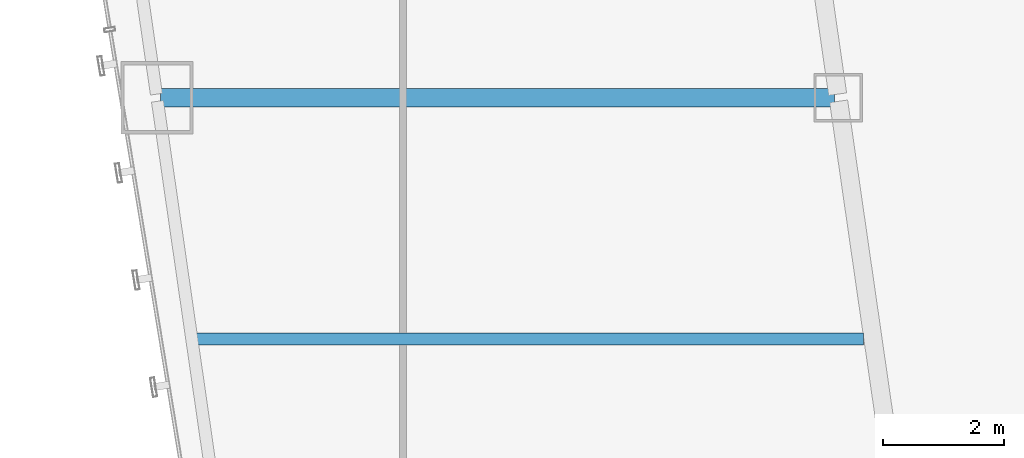
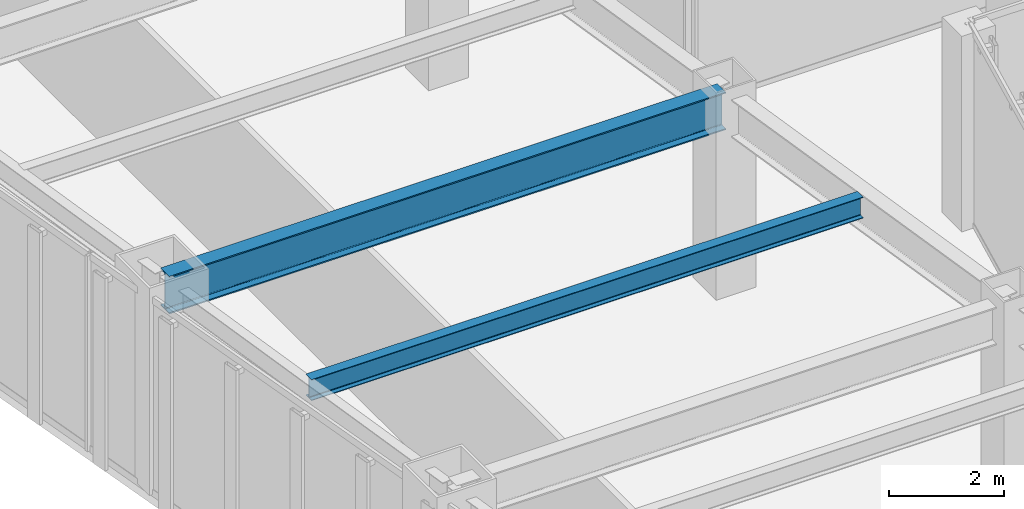
# One storey, part 6 of 47: 2 beams.
"""IFC4 building model written with IfcOpenShell, lengths in metres."""

import ifcopenshell
import ifcopenshell.guid

model = None  # the IFC model being written
_history = None  # IfcOwnerHistory: only IFC2X3 demands one
_inside = {}  # id of a spatial element -> (the spatial element, [elements in it])
_under = {}  # id of a project, library or spatial element -> (it, [spatial elements below it])
_declared = {}  # id of a project -> (the project, [libraries it declares])
_typed = {}  # id of a type object -> (the type object, [elements of that type])
_made_of = {}  # id of a material, layer set ... -> (it, [elements and type objects made of it])


def new_model(schema):
    """Start an empty IFC model of exactly this schema.

    Asked for "IFC4X3", IfcOpenShell would pick the latest addendum, in which some entities
    have other attributes; the version numbers below select the first issue.
    IFC2X3 requires an IfcOwnerHistory on every rooted entity: one is made here for all.
    """
    global model, _history
    if schema == "IFC4X3":
        model = ifcopenshell.file(schema_version=(4, 3, 0, 0))
    else:
        model = ifcopenshell.file(schema=schema)
    _inside.clear()
    _under.clear()
    _declared.clear()
    _typed.clear()
    _made_of.clear()
    _history = None
    if model.schema == "IFC2X3":
        org = make("IfcOrganization", Name="unknown")
        user = make(
            "IfcPersonAndOrganization",
            ThePerson=make("IfcPerson", FamilyName="unknown"),
            TheOrganization=org,
        )
        app = make(
            "IfcApplication",
            ApplicationDeveloper=org,
            Version="unknown",
            ApplicationFullName="unknown",
            ApplicationIdentifier="unknown",
        )
        _history = make(
            "IfcOwnerHistory",
            OwningUser=user,
            OwningApplication=app,
            ChangeAction="ADDED",
            CreationDate=0,
        )
    return model


def make(cls, **values):
    """One entity of the class cls with the attributes given. An attribute that is None is left unset."""
    return model.create_entity(
        cls, **{name: value for name, value in values.items() if value is not None}
    )


def rooted(cls, **values):
    """An entity with a GlobalId (a new one), such as an element, a storey or a relation."""
    return make(cls, GlobalId=ifcopenshell.guid.new(), OwnerHistory=_history, **values)


def si_unit(unit_type, name, prefix=None):
    """IfcSIUnit, for example si_unit("LENGTHUNIT", "METRE", prefix="MILLI")."""
    return make("IfcSIUnit", UnitType=unit_type, Prefix=prefix, Name=name)


def assignment(units):
    """IfcUnitAssignment: the units of a project."""
    return None if units is None else make("IfcUnitAssignment", Units=units)


def point(xyz):
    """IfcCartesianPoint."""
    return None if xyz is None else make("IfcCartesianPoint", Coordinates=xyz)


def direction(xyz):
    """IfcDirection."""
    return None if xyz is None else make("IfcDirection", DirectionRatios=xyz)


def frame(location, z_axis=None, x_axis=None):
    """IfcAxis2Placement3D, a coordinate frame: its origin and axes. An axis left out is left unset."""
    return make(
        "IfcAxis2Placement3D",
        Location=point(location),
        Axis=direction(z_axis),
        RefDirection=direction(x_axis),
    )


def frame_2d(location, x_axis=None):
    """IfcAxis2Placement2D, a coordinate frame in the plane: its origin and x axis."""
    return make(
        "IfcAxis2Placement2D", Location=point(location), RefDirection=direction(x_axis)
    )


def origin():
    """The frame at (0, 0, 0) with its axes left unset."""
    return frame((0.0, 0.0, 0.0))


def origin_2d():
    """The frame at (0, 0) in the plane with its x axis left unset."""
    return frame_2d((0.0, 0.0))


def place(relative_to, where):
    """IfcLocalPlacement: puts the frame where relative to a parent placement (None: the world)."""
    return make(
        "IfcLocalPlacement", PlacementRelTo=relative_to, RelativePlacement=where
    )


def context(
    kind, dimensions, precision=None, world=None, true_north=None, identifier=None
):
    """IfcGeometricRepresentationContext, for example the 3D "Model" context."""
    return make(
        "IfcGeometricRepresentationContext",
        ContextIdentifier=identifier,
        ContextType=kind,
        CoordinateSpaceDimension=dimensions,
        Precision=precision,
        WorldCoordinateSystem=world,
        TrueNorth=true_north,
    )


def subcontext(parent, identifier, kind, view, scale=None):
    """IfcGeometricRepresentationSubContext, for example "Body" below "Model"."""
    return make(
        "IfcGeometricRepresentationSubContext",
        ContextIdentifier=identifier,
        ContextType=kind,
        ParentContext=parent,
        TargetScale=scale,
        TargetView=view,
    )


def project(units=None, contexts=None):
    """IfcProject with its units and contexts."""
    return rooted(
        "IfcProject",
        Name="project",
        RepresentationContexts=contexts,
        UnitsInContext=assignment(units),
    )


def spatial(cls, under=None, at=None, **own):
    """A site, building, storey or space (cls), placed at a placement, below another one or the project."""
    s = rooted(cls, ObjectPlacement=at, **own)
    if under is not None:
        _under.setdefault(under.id(), (under, []))[1].append(s)
    return s


def profile(cls, at=None, kind="AREA", **sizes):
    """A parametric profile (cls). Its sizes go by their IFC names, for example OverallWidth=200.0."""
    return make(cls, ProfileType=kind, Position=at, **sizes)


def i_section(**sizes):
    """IfcIShapeProfileDef."""
    return profile("IfcIShapeProfileDef", **sizes)


def extrude(swept, where, along, depth):
    """IfcExtrudedAreaSolid: the profile swept, set in the frame where, extruded along a direction by depth."""
    return make(
        "IfcExtrudedAreaSolid",
        SweptArea=swept,
        Position=where,
        ExtrudedDirection=direction(along),
        Depth=depth,
    )


def shape(context_of_items, identifier, shape_type, items):
    """IfcShapeRepresentation: the items that make up one representation, for example the "Body"."""
    return make(
        "IfcShapeRepresentation",
        ContextOfItems=context_of_items,
        RepresentationIdentifier=identifier,
        RepresentationType=shape_type,
        Items=items,
    )


def material(Name=None, Category=None):
    """IfcMaterial."""
    return make("IfcMaterial", Name=Name, Category=Category)


def material_profile(
    of_material, cross_section, Name=None, Category=None, Priority=None
):
    """IfcMaterialProfile: a cross section and its material."""
    return make(
        "IfcMaterialProfile",
        Name=Name,
        Material=of_material,
        Profile=cross_section,
        Priority=Priority,
        Category=Category,
    )


def profile_set(profiles, Name=None, composite=None):
    """IfcMaterialProfileSet."""
    return make(
        "IfcMaterialProfileSet",
        Name=Name,
        MaterialProfiles=profiles,
        CompositeProfile=composite,
    )


def made_of(thing, what):
    """Note that an element or type object is made of a material, layer set ...; save() writes the relation."""
    if what is not None:
        _made_of.setdefault(what.id(), (what, []))[1].append(thing)
    return thing


def type_object(cls, material=None, **own):
    """A type object (cls), such as IfcWallType, which elements share."""
    return made_of(rooted(cls, **own), material)


def element(
    cls,
    number,
    at=None,
    inside=None,
    cuts=None,
    type_object=None,
    material=None,
    context=None,
    identifier="Body",
    shape_type=None,
    held_by="IfcProductDefinitionShape",
    body=None,
    shapes=None,
    **own,
):
    """One element of the class cls, such as IfcWall. Its Tag is "e" and its number.

    at: its placement. inside: the storey or other place that contains it. cuts: it is an
    opening in that element (IfcRelVoidsElement). A single representation is given by context,
    identifier, shape_type and body (its items); several are given by shapes. held_by: the class
    of the entity that holds the representations. save() writes the other relations.
    """
    e = rooted(cls, Tag="e%d" % number, ObjectPlacement=at, **own)
    if body is not None:
        shapes = [shape(context, identifier, shape_type, body)]
    if shapes is not None:
        e.Representation = make(held_by, Representations=shapes)
    if inside is not None:
        _inside.setdefault(inside.id(), (inside, []))[1].append(e)
    if cuts is not None:
        rooted(
            "IfcRelVoidsElement", RelatingBuildingElement=cuts, RelatedOpeningElement=e
        )
    if type_object is not None:
        _typed.setdefault(type_object.id(), (type_object, []))[1].append(e)
    return made_of(e, material)


def aggregate(whole, parts):
    """IfcRelAggregates: a whole, such as a stair, and the parts it consists of."""
    return rooted("IfcRelAggregates", RelatingObject=whole, RelatedObjects=parts)


def save(model, path):
    """Write the relations noted so far, then the file.

    IfcRelAggregates (storeys below a building ...), IfcRelContainedInSpatialStructure (elements
    in a storey), IfcRelDefinesByType, IfcRelAssociatesMaterial and IfcRelDeclares: one each for
    every whole, place, type object, material and project.
    """
    for whole, parts in _under.values():
        aggregate(whole, parts)
    for where, things in _inside.values():
        rooted(
            "IfcRelContainedInSpatialStructure",
            RelatedElements=things,
            RelatingStructure=where,
        )
    for kind, things in _typed.values():
        rooted("IfcRelDefinesByType", RelatedObjects=things, RelatingType=kind)
    for what, things in _made_of.values():
        rooted("IfcRelAssociatesMaterial", RelatedObjects=things, RelatingMaterial=what)
    for by, libraries in _declared.values():
        rooted("IfcRelDeclares", RelatingContext=by, RelatedDefinitions=libraries)
    model.write(path)


model = new_model("IFC4")

# Units and contexts
model_context = context("Model", 3, precision=1e-05, world=origin(), true_north=direction((0.0, 1.0)))
body_context = subcontext(model_context, "Body", "Model", "MODEL_VIEW")
ifc_project = project(units=[si_unit("LENGTHUNIT", "METRE"), si_unit("AREAUNIT", "SQUARE_METRE"), si_unit("VOLUMEUNIT", "CUBIC_METRE"), si_unit("PLANEANGLEUNIT", "RADIAN"), si_unit("MASSUNIT", "GRAM", prefix="KILO")], contexts=[model_context])

# Site, building, storey
site_placement = place(None, origin())
site = spatial("IfcSite", under=ifc_project, at=site_placement, CompositionType="ELEMENT")
building_placement = place(site_placement, origin())
building = spatial("IfcBuilding", under=site, at=building_placement, Name="Saevonmaru Cultural Tower", CompositionType="ELEMENT")
storey_placement = place(building_placement, frame((0.0, 0.0, 64.800048828125)))
storey = spatial("IfcBuildingStorey", under=building, at=storey_placement, Name="L13", CompositionType="ELEMENT", Elevation=64.800048828125)

# Beams
ifc_material_1 = material(Name="Steel SM420", Category="steel")
ifc_material_profile_1 = material_profile(ifc_material_1, i_section(OverallWidth=0.300048828125, OverallDepth=0.800048828125, WebThickness=0.013916015625, FlangeThickness=0.02587890625, FilletRadius=0.028076171875, at=origin_2d()), Name="H-800x300x14x26")
ifc_profile_set_1 = profile_set([ifc_material_profile_1], Name="Steel SM420")
beam_type_1 = type_object("IfcBeamType", Name="BM-G-H800", PredefinedType="BEAM", material=ifc_profile_set_1)
beam_1_placement = place(storey_placement, frame((10.68798828125, 16.0, 3.75), z_axis=(1.0, 0.0, 0.0), x_axis=(0.0, 1.0, 0.0)))
element("IfcBeam", 1, at=beam_1_placement, inside=storey, type_object=beam_type_1, Name="L13 West Wing Transverse Girder 3", PredefinedType="BEAM", context=body_context, shape_type="SweptSolid", body=[
    extrude(i_section(OverallWidth=0.300048828125, OverallDepth=0.800048828125, WebThickness=0.013916015625, FlangeThickness=0.02587890625, FilletRadius=0.028076171875, at=origin_2d()), origin(), (0.0, 0.0, 1.0), 11.179931640625),
])
ifc_material_2 = material(Name="Steel SM355", Category="steel")
ifc_material_profile_2 = material_profile(ifc_material_2, i_section(OverallWidth=0.199951171875, OverallDepth=0.449951171875, WebThickness=0.009033203125, FlangeThickness=0.013916015625, FilletRadius=0.01806640625, at=origin_2d()), Name="H-450x200x9x14")
ifc_profile_set_2 = profile_set([ifc_material_profile_2], Name="Steel SM355")
beam_type_2 = type_object("IfcBeamType", Name="BM-J-H450", PredefinedType="JOIST", material=ifc_profile_set_2)
beam_2_placement = place(storey_placement, frame((11.265380859375, 12.0, 3.925048828125), z_axis=(1.0, 0.0, 0.0), x_axis=(0.0, 1.0, 0.0)))
element("IfcBeam", 2, at=beam_2_placement, inside=storey, type_object=beam_type_2, Name="L13 West Wing Floor Joist 2", PredefinedType="JOIST", context=body_context, shape_type="SweptSolid", body=[
    extrude(i_section(OverallWidth=0.199951171875, OverallDepth=0.449951171875, WebThickness=0.009033203125, FlangeThickness=0.013916015625, FilletRadius=0.01806640625, at=origin_2d()), origin(), (0.0, 0.0, 1.0), 11.08203125),
])

save(model, "model.ifc")
